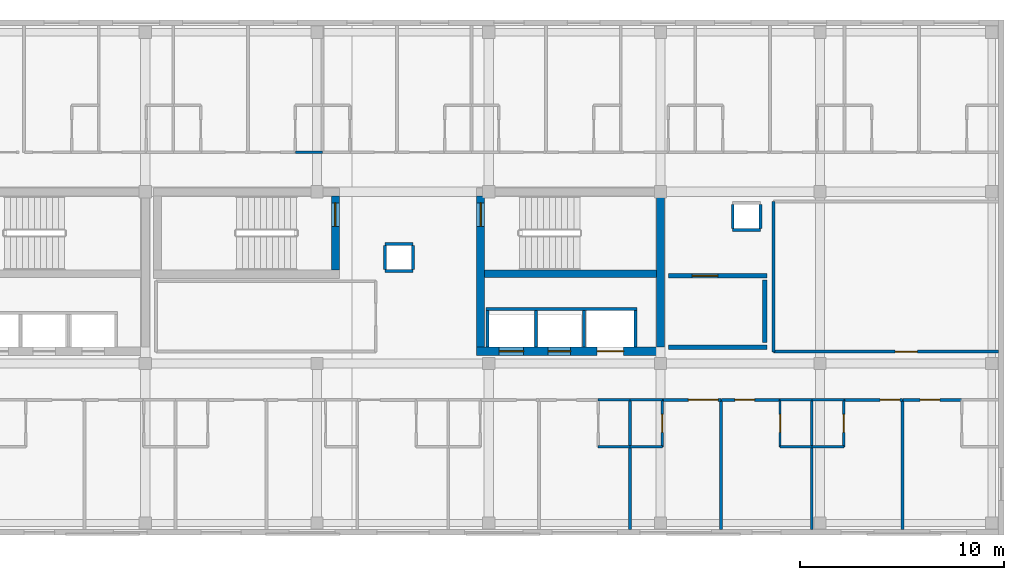
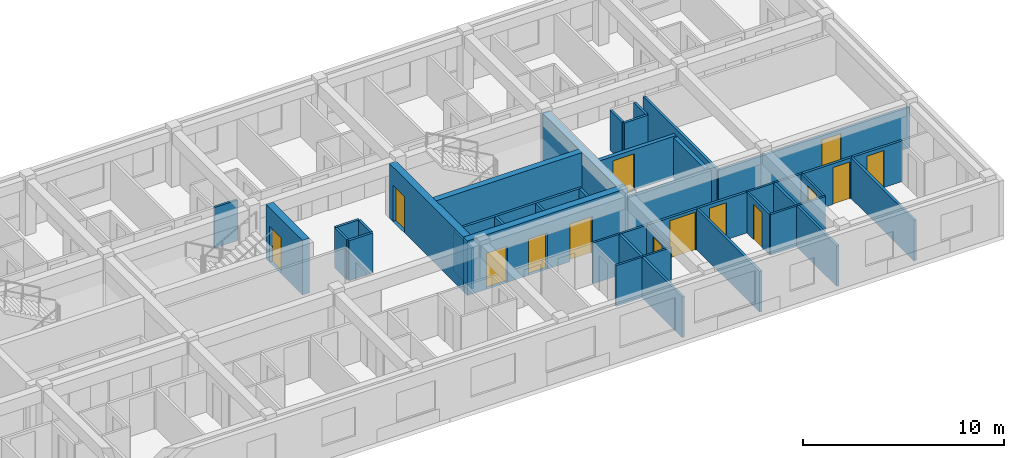
# One storey, part 5 of 10: 42 walls, 14 doors, 14 openings.
"""IFC4 building model written with IfcOpenShell, lengths in metres."""

from ifc_helpers import new_model, si_unit, direction, frame, frame_2d, origin, place, context, subcontext, project, spatial, rectangle, extrude, material, layer, layer_set, type_object, element, fill, save


model = new_model("IFC4")

# Units and contexts
model_context = context("Model", 3, precision=1e-05, world=origin(), true_north=direction((0.0, 1.0)))
body_context = subcontext(model_context, "Body", "Model", "MODEL_VIEW")
ifc_project = project(units=[si_unit("LENGTHUNIT", "METRE"), si_unit("AREAUNIT", "SQUARE_METRE"), si_unit("VOLUMEUNIT", "CUBIC_METRE"), si_unit("PLANEANGLEUNIT", "RADIAN"), si_unit("MASSUNIT", "GRAM", prefix="KILO")], contexts=[model_context])

# Site, building, storey
site_placement = place(None, origin())
site = spatial("IfcSite", under=ifc_project, at=site_placement, CompositionType="ELEMENT")
building_placement = place(site_placement, origin())
building = spatial("IfcBuilding", under=site, at=building_placement, Name="Zayran Congress Hotel", CompositionType="ELEMENT")
storey_placement = place(building_placement, frame((0.0, 0.0, 33.60009765625)))
storey = spatial("IfcBuildingStorey", under=building, at=storey_placement, Name="L08", CompositionType="ELEMENT", Elevation=33.60009765625)

# Wall, openings, doors
ifc_material_1 = material(Name="Concrete C40/50", Category="concrete")
ifc_layer_1 = layer(ifc_material_1, 0.39990234375)
ifc_layer_set_1 = layer_set([ifc_layer_1], Name="Concrete C40/50")
wall_type_1 = type_object("IfcWallType", Name="WL-SH-400", PredefinedType="SHEAR", material=ifc_layer_set_1)
wall_1_placement = place(storey_placement, frame((49.800048828125, 17.800048828125, 0.0), z_axis=(0.0, 0.0, 1.0), x_axis=(1.0, 0.0, 0.0)))
wall_1 = element("IfcWall", 1, at=wall_1_placement, inside=storey, type_object=wall_type_1, Name="CWALL-C-V5E-L08-S", PredefinedType="SHEAR", context=body_context, shape_type="SweptSolid", body=[
    extrude(rectangle(XDim=9.199951171875, YDim=0.39990234375, at=frame_2d((4.60009765625, 0.0))), origin(), (0.0, 0.0, 1.0), 3.31982421875),
])
opening_1_placement = place(wall_1_placement, frame((1.10009765625, 0.0, 0.0)))
opening_1 = element("IfcOpeningElement", 2, at=opening_1_placement, cuts=wall_1, Name="Opening LD-FL02", PredefinedType="OPENING", context=body_context, shape_type="SweptSolid", body=[
    extrude(rectangle(XDim=1.199951171875, YDim=2.199951171875, at=frame_2d((0.60009765625, 1.10009765625))), frame((0.0, 0.2099609375, 0.0), z_axis=(0.0, -1.0, 0.0), x_axis=(1.0, 0.0, 0.0)), (0.0, 0.0, 1.0), 0.419921875),
])
opening_2_placement = place(wall_1_placement, frame((3.5, 0.0, 0.0)))
opening_2 = element("IfcOpeningElement", 3, at=opening_2_placement, cuts=wall_1, Name="Opening LD-PL03", PredefinedType="OPENING", context=body_context, shape_type="SweptSolid", body=[
    extrude(rectangle(XDim=1.10009765625, YDim=2.199951171875, at=frame_2d((0.550048828125, 1.10009765625))), frame((0.0, 0.2099609375, 0.0), z_axis=(0.0, -1.0, 0.0), x_axis=(1.0, 0.0, 0.0)), (0.0, 0.0, 1.0), 0.419921875),
])
opening_3_placement = place(wall_1_placement, frame((5.89990234375, 0.0, 0.0)))
opening_3 = element("IfcOpeningElement", 4, at=opening_3_placement, cuts=wall_1, Name="Opening LD-SV01", PredefinedType="OPENING", context=body_context, shape_type="SweptSolid", body=[
    extrude(rectangle(XDim=1.300048828125, YDim=2.300048828125, at=frame_2d((0.64990234375, 1.14990234375))), frame((0.0, 0.2099609375, 0.0), z_axis=(0.0, -1.0, 0.0), x_axis=(1.0, 0.0, 0.0)), (0.0, 0.0, 1.0), 0.419921875),
])
ifc_material_2 = material(Name="Brushed stainless steel sliding lift landing door", Category="steel")
door_type_1 = type_object("IfcDoorType", Name="TP-DR-LD-01", OperationType="DOUBLE_DOOR_SLIDING", PredefinedType="DOOR", material=ifc_material_2)
door_1_placement = place(opening_2_placement, origin())
door_1 = element("IfcDoor", 5, at=door_1_placement, inside=storey, type_object=door_type_1, Name="Lift PL-03 Sliding Landing Door L08", OperationType="DOUBLE_DOOR_SLIDING", OverallHeight=2.199951171875, OverallWidth=1.10009765625, PredefinedType="DOOR", context=body_context, shape_type="SweptSolid", body=[
    extrude(rectangle(XDim=1.10009765625, YDim=2.199951171875, at=frame_2d((0.550048828125, 1.10009765625))), frame((0.0, 0.02490234375, 0.0), z_axis=(0.0, -1.0, 0.0), x_axis=(1.0, 0.0, 0.0)), (0.0, 0.0, 1.0), 0.050048828125),
])
fill(opening_2, door_1)
ifc_material_3 = material(Name="Brushed stainless steel firefighting lift landing door", Category="steel")
door_type_2 = type_object("IfcDoorType", Name="TP-DR-LD-02", OperationType="DOUBLE_DOOR_SLIDING", PredefinedType="DOOR", material=ifc_material_3)
door_2_placement = place(opening_1_placement, origin())
door_2 = element("IfcDoor", 6, at=door_2_placement, inside=storey, type_object=door_type_2, Name="Lift FL-02 Sliding Landing Door L08", OperationType="DOUBLE_DOOR_SLIDING", OverallHeight=2.199951171875, OverallWidth=1.199951171875, PredefinedType="DOOR", context=body_context, shape_type="SweptSolid", body=[
    extrude(rectangle(XDim=1.199951171875, YDim=2.199951171875, at=frame_2d((0.60009765625, 1.10009765625))), frame((0.0, 0.02490234375, 0.0), z_axis=(0.0, -1.0, 0.0), x_axis=(1.0, 0.0, 0.0)), (0.0, 0.0, 1.0), 0.050048828125),
])
fill(opening_1, door_2)
ifc_material_4 = material(Name="Heavy-duty stainless steel service lift landing door", Category="steel")
door_type_3 = type_object("IfcDoorType", Name="TP-DR-LD-03", OperationType="DOUBLE_DOOR_SLIDING", PredefinedType="DOOR", material=ifc_material_4)
door_3_placement = place(opening_3_placement, origin())
door_3 = element("IfcDoor", 7, at=door_3_placement, inside=storey, type_object=door_type_3, Name="Lift SV-01 Sliding Landing Door L08", OperationType="DOUBLE_DOOR_SLIDING", OverallHeight=2.300048828125, OverallWidth=1.300048828125, PredefinedType="DOOR", context=body_context, shape_type="SweptSolid", body=[
    extrude(rectangle(XDim=1.300048828125, YDim=2.300048828125, at=frame_2d((0.64990234375, 1.14990234375))), frame((0.0, 0.02490234375, 0.0), z_axis=(0.0, -1.0, 0.0), x_axis=(1.0, 0.0, 0.0)), (0.0, 0.0, 1.0), 0.050048828125),
])
fill(opening_3, door_3)

# Wall, opening, door
wall_2_placement = place(storey_placement, frame((50.0, 25.39990234375, 0.0), z_axis=(0.0, 0.0, 1.0), x_axis=(0.0, -1.0, 0.0)))
wall_2 = element("IfcWall", 8, at=wall_2_placement, inside=storey, type_object=wall_type_1, Name="CWALL-C-V5E-L08-W", PredefinedType="SHEAR", context=body_context, shape_type="SweptSolid", body=[
    extrude(rectangle(XDim=7.39990234375, YDim=0.39990234375, at=frame_2d((3.699951171875, 0.0))), origin(), (0.0, 0.0, 1.0), 3.31982421875),
])
opening_4_placement = place(wall_2_placement, frame((0.35009765625, 0.0, 0.0)))
opening_4 = element("IfcOpeningElement", 9, at=opening_4_placement, cuts=wall_2, Name="Opening DR-FD-90", PredefinedType="OPENING", context=body_context, shape_type="SweptSolid", body=[
    extrude(rectangle(XDim=1.14990234375, YDim=2.199951171875, at=frame_2d((0.574951171875, 1.10009765625))), frame((0.0, 0.2099609375, 0.0), z_axis=(0.0, -1.0, 0.0), x_axis=(1.0, 0.0, 0.0)), (0.0, 0.0, 1.0), 0.419921875),
])
ifc_material_5 = material(Name="Painted steel fire door assembly", Category="steel")
door_type_4 = type_object("IfcDoorType", Name="TP-DR-FD-90", OperationType="NOTDEFINED", PredefinedType="DOOR", material=ifc_material_5)
door_4_placement = place(opening_4_placement, origin())
door_4 = element("IfcDoor", 10, at=door_4_placement, inside=storey, type_object=door_type_4, Name="ST-02 Exit Stair Door L08", OperationType="SINGLE_SWING_LEFT", OverallHeight=2.199951171875, OverallWidth=1.14990234375, PredefinedType="DOOR", context=body_context, shape_type="SweptSolid", body=[
    extrude(rectangle(XDim=1.14990234375, YDim=2.199951171875, at=frame_2d((0.574951171875, 1.10009765625))), frame((0.0, 0.02490234375, 0.0), z_axis=(0.0, -1.0, 0.0), x_axis=(1.0, 0.0, 0.0)), (0.0, 0.0, 1.0), 0.050048828125),
])
fill(opening_4, door_4)

# Wall
wall_3_placement = place(storey_placement, frame((58.800048828125, 18.0, 0.0), z_axis=(0.0, 0.0, 1.0), x_axis=(0.0, 1.0, 0.0)))
element("IfcWall", 11, at=wall_3_placement, inside=storey, type_object=wall_type_1, Name="CWALL-C-V5E-L08-E", PredefinedType="SHEAR", context=body_context, shape_type="SweptSolid", body=[
    extrude(rectangle(XDim=7.39990234375, YDim=0.39990234375, at=frame_2d((3.699951171875, 0.0))), origin(), (0.0, 0.0, 1.0), 3.31982421875),
])

# Wall, opening, door
wall_4_placement = place(storey_placement, frame((42.89990234375, 21.760009765625, 0.0), z_axis=(0.0, 0.0, 1.0), x_axis=(0.0, 1.0, 0.0)))
wall_4 = element("IfcWall", 12, at=wall_4_placement, inside=storey, type_object=wall_type_1, Name="CWALL-C-V5M-L08-E", PredefinedType="SHEAR", context=body_context, shape_type="SweptSolid", body=[
    extrude(rectangle(XDim=3.639892578125, YDim=0.39990234375, at=frame_2d((1.81982421875, 0.0))), origin(), (0.0, 0.0, 1.0), 3.31982421875),
])
opening_5_placement = place(wall_4_placement, frame((2.139892578125, 0.0, 0.0)))
opening_5 = element("IfcOpeningElement", 13, at=opening_5_placement, cuts=wall_4, Name="Opening DR-FD-90", PredefinedType="OPENING", context=body_context, shape_type="SweptSolid", body=[
    extrude(rectangle(XDim=1.14990234375, YDim=2.199951171875, at=frame_2d((0.574951171875, 1.10009765625))), frame((0.0, 0.2099609375, 0.0), z_axis=(0.0, -1.0, 0.0), x_axis=(1.0, 0.0, 0.0)), (0.0, 0.0, 1.0), 0.419921875),
])
door_5_placement = place(opening_5_placement, origin())
door_5 = element("IfcDoor", 14, at=door_5_placement, inside=storey, type_object=door_type_4, Name="ST-13 Exit Stair Door L08", OperationType="SINGLE_SWING_RIGHT", OverallHeight=2.199951171875, OverallWidth=1.14990234375, PredefinedType="DOOR", context=body_context, shape_type="SweptSolid", body=[
    extrude(rectangle(XDim=1.14990234375, YDim=2.199951171875, at=frame_2d((0.574951171875, 1.10009765625))), frame((0.0, 0.02490234375, 0.0), z_axis=(0.0, -1.0, 0.0), x_axis=(1.0, 0.0, 0.0)), (0.0, 0.0, 1.0), 0.050048828125),
])
fill(opening_5, door_5)

# Walls
ifc_layer_2 = layer(ifc_material_1, 0.35009765625)
ifc_layer_set_2 = layer_set([ifc_layer_2], Name="Concrete C40/50")
wall_type_2 = type_object("IfcWallType", Name="WL-SH-350", PredefinedType="SHEAR", material=ifc_layer_set_2)
wall_5_placement = place(storey_placement, frame((50.199951171875, 21.5849609375, 0.0), z_axis=(0.0, 0.0, 1.0), x_axis=(1.0, 0.0, 0.0)))
element("IfcWall", 15, at=wall_5_placement, inside=storey, type_object=wall_type_2, Name="CWALL-C-V5E-L08-SPN", PredefinedType="SHEAR", context=body_context, shape_type="SweptSolid", body=[
    extrude(rectangle(XDim=8.400146484375, YDim=0.35009765625, at=frame_2d((4.2001953125, 0.0))), origin(), (0.0, 0.0, 1.0), 3.31982421875),
])
ifc_material_6 = material(Name="Concrete C32/40 fire wall", Category="concrete")
ifc_layer_3 = layer(ifc_material_6, 0.219970703125)
ifc_layer_set_3 = layer_set([ifc_layer_3], Name="Concrete C32/40 fire wall")
wall_type_3 = type_object("IfcWallType", Name="WL-FF-220", PredefinedType="SOLIDWALL", material=ifc_layer_set_3)
wall_6_placement = place(storey_placement, frame((59.199951171875, 18.0, 0.0), z_axis=(0.0, 0.0, 1.0), x_axis=(1.0, 0.0, 0.0)))
element("IfcWall", 16, at=wall_6_placement, inside=storey, type_object=wall_type_3, Name="FFWL-C-V5E-L08-S", PredefinedType="SOLIDWALL", context=body_context, shape_type="SweptSolid", body=[
    extrude(rectangle(XDim=4.800048828125, YDim=0.219970703125, at=frame_2d((2.39990234375, 0.0))), origin(), (0.0, 0.0, 1.0), 2.469970703125),
])

# Wall, opening, door
wall_7_placement = place(storey_placement, frame((59.199951171875, 21.5, 0.0), z_axis=(0.0, 0.0, 1.0), x_axis=(1.0, 0.0, 0.0)))
wall_7 = element("IfcWall", 17, at=wall_7_placement, inside=storey, type_object=wall_type_3, Name="FFWL-C-V5E-L08-N", PredefinedType="SOLIDWALL", context=body_context, shape_type="SweptSolid", body=[
    extrude(rectangle(XDim=4.800048828125, YDim=0.219970703125, at=frame_2d((2.39990234375, 0.0))), origin(), (0.0, 0.0, 1.0), 2.469970703125),
])
opening_6_placement = place(wall_7_placement, frame((1.14990234375, 0.0, 0.0)))
opening_6 = element("IfcOpeningElement", 18, at=opening_6_placement, cuts=wall_7, Name="Opening DR-FF-60", PredefinedType="OPENING", context=body_context, shape_type="SweptSolid", body=[
    extrude(rectangle(XDim=1.25, YDim=2.199951171875, at=frame_2d((0.625, 1.10009765625))), frame((0.0, 0.119873046875, 0.0), z_axis=(0.0, -1.0, 0.0), x_axis=(1.0, 0.0, 0.0)), (0.0, 0.0, 1.0), 0.239990234375),
])
ifc_material_7 = material(Name="Painted steel smoke-seal fire door", Category="steel")
door_type_5 = type_object("IfcDoorType", Name="TP-DR-FF-60", OperationType="NOTDEFINED", PredefinedType="DOOR", material=ifc_material_7)
door_6_placement = place(opening_6_placement, origin())
door_6 = element("IfcDoor", 19, at=door_6_placement, inside=storey, type_object=door_type_5, Name="Firefighting Lift Lobby Door C-V5E L08", OperationType="SINGLE_SWING_RIGHT", OverallHeight=2.199951171875, OverallWidth=1.25, PredefinedType="DOOR", context=body_context, shape_type="SweptSolid", body=[
    extrude(rectangle(XDim=1.25, YDim=2.199951171875, at=frame_2d((0.625, 1.10009765625))), frame((0.0, 0.02490234375, 0.0), z_axis=(0.0, -1.0, 0.0), x_axis=(1.0, 0.0, 0.0)), (0.0, 0.0, 1.0), 0.050048828125),
])
fill(opening_6, door_6)

# Walls
wall_8_placement = place(storey_placement, frame((63.889892578125, 18.219970703125, 0.0), z_axis=(0.0, 0.0, 1.0), x_axis=(0.0, 1.0, 0.0)))
element("IfcWall", 20, at=wall_8_placement, inside=storey, type_object=wall_type_3, Name="FFWL-C-V5E-L08-SD", PredefinedType="SOLIDWALL", context=body_context, shape_type="SweptSolid", body=[
    extrude(rectangle(XDim=3.06005859375, YDim=0.219970703125, at=frame_2d((1.530029296875, 0.0))), origin(), (0.0, 0.0, 1.0), 2.469970703125),
])
ifc_material_8 = material(Name="Hospitality guestroom acoustic partition", Category="gypsum")
ifc_layer_4 = layer(ifc_material_8, 0.139892578125)
ifc_layer_set_4 = layer_set([ifc_layer_4], Name="Hospitality guestroom acoustic partition")
wall_type_4 = type_object("IfcWallType", Name="WL-PT-140", PredefinedType="PARTITIONING", material=ifc_layer_set_4)
for number, where, z_axis, x_axis, name in (
    (21, (50.330078125, 18.0, 0.0), (0.0, 0.0, 1.0), (0.0, 1.0, 0.0), "LSHW-C-V5E-L08-W"),
    (22, (52.699951171875, 18.0, 0.0), (0.0, 0.0, 1.0), (0.0, 1.0, 0.0), "LSHW-C-V5E-L08-DIV1"),
    (23, (55.050048828125, 18.0, 0.0), (0.0, 0.0, 1.0), (0.0, 1.0, 0.0), "LSHW-C-V5E-L08-DIV2"),
    (24, (57.570068359375, 18.0, 0.0), (0.0, 0.0, 1.0), (0.0, 1.0, 0.0), "LSHW-C-V5E-L08-E"),
):
    element("IfcWall", number, at=place(storey_placement, frame(where, z_axis=z_axis, x_axis=x_axis)), inside=storey, type_object=wall_type_4, Name=name, PredefinedType="PARTITIONING", context=body_context, shape_type="SweptSolid", body=[
        extrude(rectangle(XDim=1.800048828125, YDim=0.139892578125, at=frame_2d((0.89990234375, 0.0))), origin(), (0.0, 0.0, 1.0), 2.469970703125),
    ])
wall_9_placement = place(storey_placement, frame((50.260009765625, 19.8701171875, 0.0), z_axis=(0.0, 0.0, 1.0), x_axis=(1.0, 0.0, 0.0)))
element("IfcWall", 25, at=wall_9_placement, inside=storey, type_object=wall_type_4, Name="LSHW-C-V5E-L08-N", PredefinedType="PARTITIONING", context=body_context, shape_type="SweptSolid", body=[
    extrude(rectangle(XDim=7.3798828125, YDim=0.139892578125, at=frame_2d((3.68994140625, 0.0))), origin(), (0.0, 0.0, 1.0), 2.469970703125),
])

# Wall, opening, door
wall_10_placement = place(storey_placement, frame((64.320068359375, 17.780029296875, 0.0), z_axis=(0.0, 0.0, 1.0), x_axis=(1.0, 0.0, 0.0)))
wall_10 = element("IfcWall", 26, at=wall_10_placement, inside=storey, type_object=wall_type_4, Name="IW-L08-0755", PredefinedType="PARTITIONING", context=body_context, shape_type="SweptSolid", body=[
    extrude(rectangle(XDim=11.0, YDim=0.139892578125, at=frame_2d((5.5, 0.0))), origin(), (0.0, 0.0, 1.0), 2.47998046875),
])
opening_7_placement = place(wall_10_placement, frame((5.9580078125, 0.0, 0.0)))
opening_7 = element("IfcOpeningElement", 27, at=opening_7_placement, cuts=wall_10, Name="Opening DR-MT-01", PredefinedType="OPENING", context=body_context, shape_type="SweptSolid", body=[
    extrude(rectangle(XDim=1.080078125, YDim=2.25, at=frame_2d((0.5400390625, 1.125))), frame((0.0, 0.079833984375, 0.0), z_axis=(0.0, -1.0, 0.0), x_axis=(1.0, 0.0, 0.0)), (0.0, 0.0, 1.0), 0.159912109375),
])
ifc_material_9 = material(Name="Acoustic timber seminar room door", Category="wood")
door_type_6 = type_object("IfcDoorType", Name="TP-DR-MT-01", OperationType="NOTDEFINED", PredefinedType="DOOR", material=ifc_material_9)
door_7_placement = place(opening_7_placement, origin())
door_7 = element("IfcDoor", 28, at=door_7_placement, inside=storey, type_object=door_type_6, Name="Delegate Study Salon East L08 Door", OperationType="SINGLE_SWING_LEFT", OverallHeight=2.25, OverallWidth=1.080078125, PredefinedType="DOOR", context=body_context, shape_type="SweptSolid", body=[
    extrude(rectangle(XDim=1.080078125, YDim=2.25, at=frame_2d((0.5400390625, 1.125))), frame((0.0, 0.02490234375, 0.0), z_axis=(0.0, -1.0, 0.0), x_axis=(1.0, 0.0, 0.0)), (0.0, 0.0, 1.0), 0.050048828125),
])
fill(opening_7, door_7)

wall_11_placement = place(storey_placement, frame((58.8798828125, 15.419921875, 0.0), z_axis=(0.0, 0.0, 1.0), x_axis=(1.0, 0.0, 0.0)))
wall_11 = element("IfcWall", 29, at=wall_11_placement, inside=storey, type_object=wall_type_4, Name="IW-L08-0765", PredefinedType="PARTITIONING", context=body_context, shape_type="SweptSolid", body=[
    extrude(rectangle(XDim=2.8720703125, YDim=0.139892578125, at=frame_2d((1.43603515625, 0.0))), origin(), (0.0, 0.0, 1.0), 2.47998046875),
])
opening_8_placement = place(wall_11_placement, frame((1.281982421875, 0.0, 0.0)))
opening_8 = element("IfcOpeningElement", 30, at=opening_8_placement, cuts=wall_11, Name="Opening DR-ST-01", PredefinedType="OPENING", context=body_context, shape_type="SweptSolid", body=[
    extrude(rectangle(XDim=1.449951171875, YDim=2.300048828125, at=frame_2d((0.72509765625, 1.14990234375))), frame((0.0, 0.079833984375, 0.0), z_axis=(0.0, -1.0, 0.0), x_axis=(1.0, 0.0, 0.0)), (0.0, 0.0, 1.0), 0.159912109375),
])
ifc_material_10 = material(Name="Double walnut veneer suite entry door", Category="wood")
door_type_7 = type_object("IfcDoorType", Name="TP-DR-ST-01", OperationType="DOUBLE_DOOR_SINGLE_SWING", PredefinedType="DOOR", material=ifc_material_10)
door_8_placement = place(opening_8_placement, origin())
door_8 = element("IfcDoor", 31, at=door_8_placement, inside=storey, type_object=door_type_7, Name="Junior Suite L08-10 Door", OperationType="DOUBLE_DOOR_SINGLE_SWING", OverallHeight=2.300048828125, OverallWidth=1.449951171875, PredefinedType="DOOR", context=body_context, shape_type="SweptSolid", body=[
    extrude(rectangle(XDim=1.449951171875, YDim=2.300048828125, at=frame_2d((0.72509765625, 1.14990234375))), frame((0.0, 0.02490234375, 0.0), z_axis=(0.0, -1.0, 0.0), x_axis=(1.0, 0.0, 0.0)), (0.0, 0.0, 1.0), 0.050048828125),
])
fill(opening_8, door_8)

wall_12_placement = place(storey_placement, frame((61.77197265625, 15.419921875, 0.0), z_axis=(0.0, 0.0, 1.0), x_axis=(1.0, 0.0, 0.0)))
wall_12 = element("IfcWall", 32, at=wall_12_placement, inside=storey, type_object=wall_type_4, Name="IW-L08-0766", PredefinedType="PARTITIONING", context=body_context, shape_type="SweptSolid", body=[
    extrude(rectangle(XDim=2.8720703125, YDim=0.139892578125, at=frame_2d((1.43603515625, 0.0))), origin(), (0.0, 0.0, 1.0), 2.47998046875),
])
opening_9_placement = place(wall_12_placement, frame((0.6650390625, 0.0, 0.0)))
opening_9 = element("IfcOpeningElement", 33, at=opening_9_placement, cuts=wall_12, Name="Opening DR-GR-03", PredefinedType="OPENING", context=body_context, shape_type="SweptSolid", body=[
    extrude(rectangle(XDim=0.9599609375, YDim=2.25, at=frame_2d((0.47998046875, 1.125))), frame((0.0, 0.079833984375, 0.0), z_axis=(0.0, -1.0, 0.0), x_axis=(1.0, 0.0, 0.0)), (0.0, 0.0, 1.0), 0.159912109375),
])
ifc_material_11 = material(Name="Executive walnut veneer entry door", Category="wood")
door_type_8 = type_object("IfcDoorType", Name="TP-DR-GR-03", OperationType="NOTDEFINED", PredefinedType="DOOR", material=ifc_material_11)
door_9_placement = place(opening_9_placement, origin())
door_9 = element("IfcDoor", 34, at=door_9_placement, inside=storey, type_object=door_type_8, Name="Guest Room L08-11 Door", OperationType="SINGLE_SWING_LEFT", OverallHeight=2.25, OverallWidth=0.9599609375, PredefinedType="DOOR", context=body_context, shape_type="SweptSolid", body=[
    extrude(rectangle(XDim=0.9599609375, YDim=2.25, at=frame_2d((0.47998046875, 1.125))), frame((0.0, 0.02490234375, 0.0), z_axis=(0.0, -1.0, 0.0), x_axis=(1.0, 0.0, 0.0)), (0.0, 0.0, 1.0), 0.050048828125),
])
fill(opening_9, door_9)

wall_13_placement = place(storey_placement, frame((67.77197265625, 15.419921875, 0.0), z_axis=(0.0, 0.0, 1.0), x_axis=(1.0, 0.0, 0.0)))
wall_13 = element("IfcWall", 35, at=wall_13_placement, inside=storey, type_object=wall_type_4, Name="IW-L08-0767", PredefinedType="PARTITIONING", context=body_context, shape_type="SweptSolid", body=[
    extrude(rectangle(XDim=2.8720703125, YDim=0.139892578125, at=frame_2d((1.43603515625, 0.0))), origin(), (0.0, 0.0, 1.0), 2.47998046875),
])
opening_10_placement = place(wall_13_placement, frame((1.77197265625, 0.0, 0.0)))
opening_10 = element("IfcOpeningElement", 36, at=opening_10_placement, cuts=wall_13, Name="Opening DR-GR-03", PredefinedType="OPENING", context=body_context, shape_type="SweptSolid", body=[
    extrude(rectangle(XDim=0.9599609375, YDim=2.25, at=frame_2d((0.47998046875, 1.125))), frame((0.0, 0.079833984375, 0.0), z_axis=(0.0, -1.0, 0.0), x_axis=(1.0, 0.0, 0.0)), (0.0, 0.0, 1.0), 0.159912109375),
])
door_10_placement = place(opening_10_placement, origin())
door_10 = element("IfcDoor", 37, at=door_10_placement, inside=storey, type_object=door_type_8, Name="Guest Room L08-12 Door", OperationType="SINGLE_SWING_RIGHT", OverallHeight=2.25, OverallWidth=0.9599609375, PredefinedType="DOOR", context=body_context, shape_type="SweptSolid", body=[
    extrude(rectangle(XDim=0.9599609375, YDim=2.25, at=frame_2d((0.47998046875, 1.125))), frame((0.0, 0.02490234375, 0.0), z_axis=(0.0, -1.0, 0.0), x_axis=(1.0, 0.0, 0.0)), (0.0, 0.0, 1.0), 0.050048828125),
])
fill(opening_10, door_10)

wall_14_placement = place(storey_placement, frame((70.6640625, 15.419921875, 0.0), z_axis=(0.0, 0.0, 1.0), x_axis=(1.0, 0.0, 0.0)))
wall_14 = element("IfcWall", 38, at=wall_14_placement, inside=storey, type_object=wall_type_4, Name="IW-L08-0768", PredefinedType="PARTITIONING", context=body_context, shape_type="SweptSolid", body=[
    extrude(rectangle(XDim=2.871826171875, YDim=0.139892578125, at=frame_2d((1.43603515625, 0.0))), origin(), (0.0, 0.0, 1.0), 2.47998046875),
])
opening_11_placement = place(wall_14_placement, frame((0.839111328125, 0.0, 0.0)))
opening_11 = element("IfcOpeningElement", 39, at=opening_11_placement, cuts=wall_14, Name="Opening DR-GR-03", PredefinedType="OPENING", context=body_context, shape_type="SweptSolid", body=[
    extrude(rectangle(XDim=0.9599609375, YDim=2.25, at=frame_2d((0.47998046875, 1.125))), frame((0.0, 0.079833984375, 0.0), z_axis=(0.0, -1.0, 0.0), x_axis=(1.0, 0.0, 0.0)), (0.0, 0.0, 1.0), 0.159912109375),
])
door_11_placement = place(opening_11_placement, origin())
door_11 = element("IfcDoor", 40, at=door_11_placement, inside=storey, type_object=door_type_8, Name="Guest Room L08-13 Door", OperationType="SINGLE_SWING_LEFT", OverallHeight=2.25, OverallWidth=0.9599609375, PredefinedType="DOOR", context=body_context, shape_type="SweptSolid", body=[
    extrude(rectangle(XDim=0.9599609375, YDim=2.25, at=frame_2d((0.47998046875, 1.125))), frame((0.0, 0.02490234375, 0.0), z_axis=(0.0, -1.0, 0.0), x_axis=(1.0, 0.0, 0.0)), (0.0, 0.0, 1.0), 0.050048828125),
])
fill(opening_11, door_11)

# Walls
wall_15_placement = place(storey_placement, frame((64.330078125, 17.77001953125, 0.0), z_axis=(0.0, 0.0, 1.0), x_axis=(0.0, 1.0, 0.0)))
element("IfcWall", 41, at=wall_15_placement, inside=storey, type_object=wall_type_4, Name="IW-L08-2090", PredefinedType="PARTITIONING", context=body_context, shape_type="SweptSolid", body=[
    extrude(rectangle(XDim=7.35986328125, YDim=0.139892578125, at=frame_2d((3.679931640625, 0.0))), origin(), (0.0, 0.0, 1.0), 2.47998046875),
])
for number, where, z_axis, x_axis, name in (
    (42, (57.304931640625, 9.080078125, 0.0), (0.0, 0.0, 1.0), (0.0, 1.0, 0.0), "IW-L08-2099"),
    (43, (61.751953125, 9.080078125, 0.0), (0.0, 0.0, 1.0), (0.0, 1.0, 0.0), "IW-L08-2100"),
    (44, (66.197998046875, 9.080078125, 0.0), (0.0, 0.0, 1.0), (0.0, 1.0, 0.0), "IW-L08-2101"),
    (45, (70.64404296875, 9.080078125, 0.0), (0.0, 0.0, 1.0), (0.0, 1.0, 0.0), "IW-L08-2102"),
):
    element("IfcWall", number, at=place(storey_placement, frame(where, z_axis=z_axis, x_axis=x_axis)), inside=storey, type_object=wall_type_4, Name=name, PredefinedType="PARTITIONING", context=body_context, shape_type="SweptSolid", body=[
        extrude(rectangle(XDim=6.349853515625, YDim=0.139892578125, at=frame_2d((3.1748046875, 0.0))), origin(), (0.0, 0.0, 1.0), 2.47998046875),
    ])
for number, where, z_axis, x_axis, name in (
    (46, (45.330078125, 21.72998046875, 0.0), (0.0, 0.0, 1.0), (1.0, 0.0, 0.0), "RSWL-V5-L08-048-S"),
    (47, (46.68994140625, 23.050048828125, 0.0), (0.0, 0.0, 1.0), (-1.0, 0.0, 0.0), "RSWL-V5-L08-048-N"),
):
    element("IfcWall", number, at=place(storey_placement, frame(where, z_axis=z_axis, x_axis=x_axis)), inside=storey, type_object=wall_type_4, Name=name, PredefinedType="PARTITIONING", context=body_context, shape_type="SweptSolid", body=[
        extrude(rectangle(XDim=1.35986328125, YDim=0.139892578125, at=frame_2d((0.679931640625, 0.0))), origin(), (0.0, 0.0, 1.0), 2.43994140625),
    ])
for number, where, z_axis, x_axis, name in (
    (48, (45.330078125, 22.97998046875, 0.0), (0.0, 0.0, 1.0), (0.0, -1.0, 0.0), "RSWL-V5-L08-048-W"),
    (49, (46.68994140625, 21.800048828125, 0.0), (0.0, 0.0, 1.0), (0.0, 1.0, 0.0), "RSWL-V5-L08-048-E"),
):
    element("IfcWall", number, at=place(storey_placement, frame(where, z_axis=z_axis, x_axis=x_axis)), inside=storey, type_object=wall_type_4, Name=name, PredefinedType="PARTITIONING", context=body_context, shape_type="SweptSolid", body=[
        extrude(rectangle(XDim=1.179931640625, YDim=0.139892578125, at=frame_2d((0.58984375, 0.0))), origin(), (0.0, 0.0, 1.0), 2.43994140625),
    ])
wall_16_placement = place(storey_placement, frame((62.330078125, 23.72998046875, 0.0), z_axis=(0.0, 0.0, 1.0), x_axis=(1.0, 0.0, 0.0)))
element("IfcWall", 50, at=wall_16_placement, inside=storey, type_object=wall_type_4, Name="RSWL-V5-L08-049-S", PredefinedType="PARTITIONING", context=body_context, shape_type="SweptSolid", body=[
    extrude(rectangle(XDim=1.35986328125, YDim=0.139892578125, at=frame_2d((0.679931640625, 0.0))), origin(), (0.0, 0.0, 1.0), 2.43994140625),
])
for number, where, z_axis, x_axis, name in (
    (51, (62.330078125, 24.97998046875, 0.0), (0.0, 0.0, 1.0), (0.0, -1.0, 0.0), "RSWL-V5-L08-049-W"),
    (52, (63.68994140625, 23.800048828125, 0.0), (0.0, 0.0, 1.0), (0.0, 1.0, 0.0), "RSWL-V5-L08-049-E"),
):
    element("IfcWall", number, at=place(storey_placement, frame(where, z_axis=z_axis, x_axis=x_axis)), inside=storey, type_object=wall_type_4, Name=name, PredefinedType="PARTITIONING", context=body_context, shape_type="SweptSolid", body=[
        extrude(rectangle(XDim=1.179931640625, YDim=0.139892578125, at=frame_2d((0.58984375, 0.0))), origin(), (0.0, 0.0, 1.0), 2.43994140625),
    ])

# Wall, opening, door
ifc_material_12 = material(Name="Moisture-resistant bathroom partition", Category="gypsum")
ifc_layer_5 = layer(ifc_material_12, 0.1201171875)
ifc_layer_set_5 = layer_set([ifc_layer_5], Name="Moisture-resistant bathroom partition")
wall_type_5 = type_object("IfcWallType", Name="WL-PT-120", PredefinedType="PARTITIONING", material=ifc_layer_set_5)
wall_17_placement = place(storey_placement, frame((58.8798828125, 13.1201171875, 0.0), z_axis=(0.0, 0.0, 1.0), x_axis=(0.0, 1.0, 0.0)))
wall_17 = element("IfcWall", 53, at=wall_17_placement, inside=storey, type_object=wall_type_5, Name="IW-L08-0254", PredefinedType="PARTITIONING", context=body_context, shape_type="SweptSolid", body=[
    extrude(rectangle(XDim=2.309814453125, YDim=0.1201171875, at=frame_2d((1.15478515625, 0.0))), origin(), (0.0, 0.0, 1.0), 2.47998046875),
])
opening_12_placement = place(wall_17_placement, frame((0.715087890625, 0.0, 0.0)))
opening_12 = element("IfcOpeningElement", 54, at=opening_12_placement, cuts=wall_17, Name="Opening DR-BT-01", PredefinedType="OPENING", context=body_context, shape_type="SweptSolid", body=[
    extrude(rectangle(XDim=0.8798828125, YDim=2.14990234375, at=frame_2d((0.43994140625, 1.074951171875))), frame((0.0, 0.070068359375, 0.0), z_axis=(0.0, -1.0, 0.0), x_axis=(1.0, 0.0, 0.0)), (0.0, 0.0, 1.0), 0.14013671875),
])
ifc_material_13 = material(Name="Moisture-resistant oak en-suite door", Category="wood")
door_type_9 = type_object("IfcDoorType", Name="TP-DR-BT-01", OperationType="NOTDEFINED", PredefinedType="DOOR", material=ifc_material_13)
door_12_placement = place(opening_12_placement, origin())
door_12 = element("IfcDoor", 55, at=door_12_placement, inside=storey, type_object=door_type_9, Name="En-Suite Bathroom L08-10 Door", OperationType="SINGLE_SWING_LEFT", OverallHeight=2.14990234375, OverallWidth=0.8798828125, PredefinedType="DOOR", context=body_context, shape_type="SweptSolid", body=[
    extrude(rectangle(XDim=0.8798828125, YDim=2.14990234375, at=frame_2d((0.43994140625, 1.074951171875))), frame((0.0, 0.02490234375, 0.0), z_axis=(0.0, -1.0, 0.0), x_axis=(1.0, 0.0, 0.0)), (0.0, 0.0, 1.0), 0.050048828125),
])
fill(opening_12, door_12)

wall_18_placement = place(storey_placement, frame((64.64404296875, 13.1201171875, 0.0), z_axis=(0.0, 0.0, 1.0), x_axis=(0.0, 1.0, 0.0)))
wall_18 = element("IfcWall", 56, at=wall_18_placement, inside=storey, type_object=wall_type_5, Name="IW-L08-0255", PredefinedType="PARTITIONING", context=body_context, shape_type="SweptSolid", body=[
    extrude(rectangle(XDim=2.309814453125, YDim=0.1201171875, at=frame_2d((1.15478515625, 0.0))), origin(), (0.0, 0.0, 1.0), 2.47998046875),
])
opening_13_placement = place(wall_18_placement, frame((0.715087890625, 0.0, 0.0)))
opening_13 = element("IfcOpeningElement", 57, at=opening_13_placement, cuts=wall_18, Name="Opening DR-BT-01", PredefinedType="OPENING", context=body_context, shape_type="SweptSolid", body=[
    extrude(rectangle(XDim=0.8798828125, YDim=2.14990234375, at=frame_2d((0.43994140625, 1.074951171875))), frame((0.0, 0.070068359375, 0.0), z_axis=(0.0, -1.0, 0.0), x_axis=(1.0, 0.0, 0.0)), (0.0, 0.0, 1.0), 0.14013671875),
])
door_13_placement = place(opening_13_placement, origin())
door_13 = element("IfcDoor", 58, at=door_13_placement, inside=storey, type_object=door_type_9, Name="En-Suite Bathroom L08-11 Door", OperationType="SINGLE_SWING_RIGHT", OverallHeight=2.14990234375, OverallWidth=0.8798828125, PredefinedType="DOOR", context=body_context, shape_type="SweptSolid", body=[
    extrude(rectangle(XDim=0.8798828125, YDim=2.14990234375, at=frame_2d((0.43994140625, 1.074951171875))), frame((0.0, 0.02490234375, 0.0), z_axis=(0.0, -1.0, 0.0), x_axis=(1.0, 0.0, 0.0)), (0.0, 0.0, 1.0), 0.050048828125),
])
fill(opening_13, door_13)

wall_19_placement = place(storey_placement, frame((67.77197265625, 13.1201171875, 0.0), z_axis=(0.0, 0.0, 1.0), x_axis=(0.0, 1.0, 0.0)))
wall_19 = element("IfcWall", 59, at=wall_19_placement, inside=storey, type_object=wall_type_5, Name="IW-L08-0256", PredefinedType="PARTITIONING", context=body_context, shape_type="SweptSolid", body=[
    extrude(rectangle(XDim=2.309814453125, YDim=0.1201171875, at=frame_2d((1.15478515625, 0.0))), origin(), (0.0, 0.0, 1.0), 2.47998046875),
])
opening_14_placement = place(wall_19_placement, frame((0.715087890625, 0.0, 0.0)))
opening_14 = element("IfcOpeningElement", 60, at=opening_14_placement, cuts=wall_19, Name="Opening DR-BT-01", PredefinedType="OPENING", context=body_context, shape_type="SweptSolid", body=[
    extrude(rectangle(XDim=0.8798828125, YDim=2.14990234375, at=frame_2d((0.43994140625, 1.074951171875))), frame((0.0, 0.070068359375, 0.0), z_axis=(0.0, -1.0, 0.0), x_axis=(1.0, 0.0, 0.0)), (0.0, 0.0, 1.0), 0.14013671875),
])
door_14_placement = place(opening_14_placement, origin())
door_14 = element("IfcDoor", 61, at=door_14_placement, inside=storey, type_object=door_type_9, Name="En-Suite Bathroom L08-12 Door", OperationType="SINGLE_SWING_LEFT", OverallHeight=2.14990234375, OverallWidth=0.8798828125, PredefinedType="DOOR", context=body_context, shape_type="SweptSolid", body=[
    extrude(rectangle(XDim=0.8798828125, YDim=2.14990234375, at=frame_2d((0.43994140625, 1.074951171875))), frame((0.0, 0.02490234375, 0.0), z_axis=(0.0, -1.0, 0.0), x_axis=(1.0, 0.0, 0.0)), (0.0, 0.0, 1.0), 0.050048828125),
])
fill(opening_14, door_14)

# Walls
for number, where, z_axis, x_axis, name in (
    (62, (55.740966796875, 13.1298828125, 0.0), (0.0, 0.0, 1.0), (1.0, 0.0, 0.0), "IW-L08-1373"),
    (63, (55.740966796875, 15.419921875, 0.0), (0.0, 0.0, 1.0), (1.0, 0.0, 0.0), "IW-L08-1374"),
):
    element("IfcWall", number, at=place(storey_placement, frame(where, z_axis=z_axis, x_axis=x_axis)), inside=storey, type_object=wall_type_5, Name=name, PredefinedType="PARTITIONING", context=body_context, shape_type="SweptSolid", body=[
        extrude(rectangle(XDim=1.573974609375, YDim=0.1201171875, at=frame_2d((0.787109375, 0.0))), origin(), (0.0, 0.0, 1.0), 2.47998046875),
    ])
for number, where, z_axis, x_axis, name in (
    (64, (57.31494140625, 13.1298828125, 0.0), (0.0, 0.0, 1.0), (1.0, 0.0, 0.0), "IW-L08-1375"),
    (65, (57.31494140625, 15.419921875, 0.0), (0.0, 0.0, 1.0), (1.0, 0.0, 0.0), "IW-L08-1376"),
):
    element("IfcWall", number, at=place(storey_placement, frame(where, z_axis=z_axis, x_axis=x_axis)), inside=storey, type_object=wall_type_5, Name=name, PredefinedType="PARTITIONING", context=body_context, shape_type="SweptSolid", body=[
        extrude(rectangle(XDim=1.574951171875, YDim=0.1201171875, at=frame_2d((0.78759765625, 0.0))), origin(), (0.0, 0.0, 1.0), 2.47998046875),
    ])
for number, where, z_axis, x_axis, name in (
    (66, (64.634033203125, 13.1298828125, 0.0), (0.0, 0.0, 1.0), (1.0, 0.0, 0.0), "IW-L08-1377"),
    (67, (64.634033203125, 15.419921875, 0.0), (0.0, 0.0, 1.0), (1.0, 0.0, 0.0), "IW-L08-1378"),
    (68, (66.2080078125, 13.1298828125, 0.0), (0.0, 0.0, 1.0), (1.0, 0.0, 0.0), "IW-L08-1379"),
    (69, (66.2080078125, 15.419921875, 0.0), (0.0, 0.0, 1.0), (1.0, 0.0, 0.0), "IW-L08-1380"),
):
    element("IfcWall", number, at=place(storey_placement, frame(where, z_axis=z_axis, x_axis=x_axis)), inside=storey, type_object=wall_type_5, Name=name, PredefinedType="PARTITIONING", context=body_context, shape_type="SweptSolid", body=[
        extrude(rectangle(XDim=1.573974609375, YDim=0.1201171875, at=frame_2d((0.787109375, 0.0))), origin(), (0.0, 0.0, 1.0), 2.47998046875),
    ])
wall_20_placement = place(storey_placement, frame((40.94091796875, 27.530029296875, 0.0), z_axis=(0.0, 0.0, 1.0), x_axis=(1.0, 0.0, 0.0)))
element("IfcWall", 70, at=wall_20_placement, inside=storey, type_object=wall_type_5, Name="IW-L08-1389", PredefinedType="PARTITIONING", context=body_context, shape_type="SweptSolid", body=[
    extrude(rectangle(XDim=1.330078125, YDim=0.1201171875, at=frame_2d((0.6650390625, 0.0))), origin(), (0.0, 0.0, 1.0), 2.47998046875),
])

save(model, "model.ifc")
